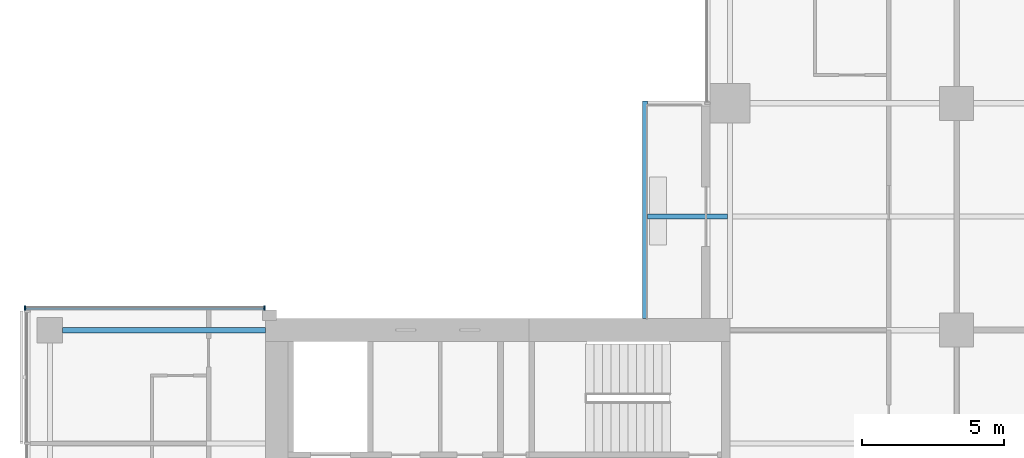
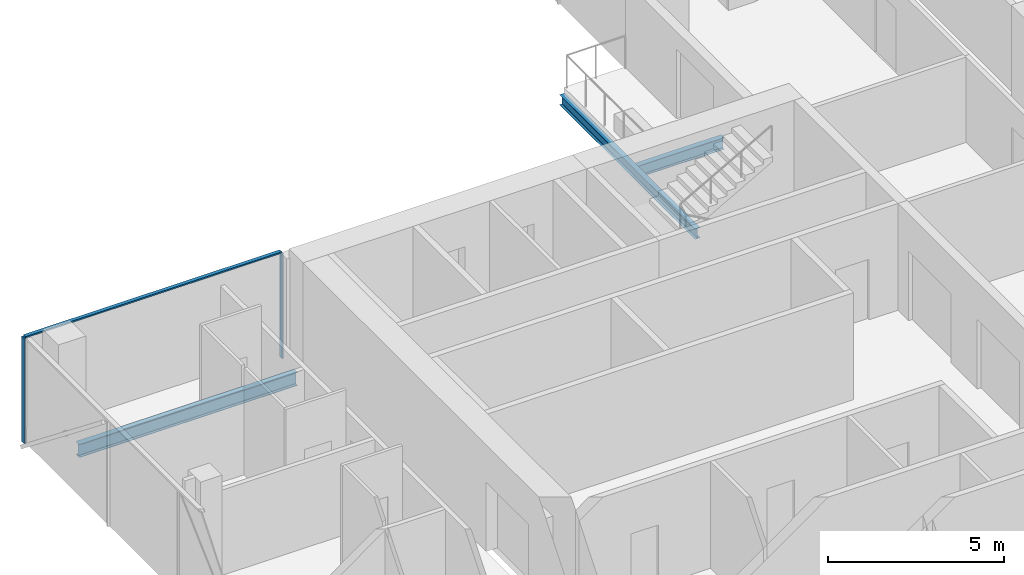
# One storey, part 8 of 27: 3 beams, 3 members, 1 element without a shape of its own.
"""IFC4 building model written with IfcOpenShell, lengths in metres."""

from ifc_helpers import new_model, si_unit, direction, frame, origin, origin_2d, place, context, subcontext, project, spatial, rectangle, i_section, extrude, material, material_profile, profile_set, type_object, element, aggregate, save


model = new_model("IFC4")

# Units and contexts
model_context = context("Model", 3, precision=1e-05, world=origin(), true_north=direction((0.0, 1.0)))
body_context = subcontext(model_context, "Body", "Model", "MODEL_VIEW")
ifc_project = project(units=[si_unit("LENGTHUNIT", "METRE"), si_unit("AREAUNIT", "SQUARE_METRE"), si_unit("VOLUMEUNIT", "CUBIC_METRE"), si_unit("PLANEANGLEUNIT", "RADIAN"), si_unit("MASSUNIT", "GRAM", prefix="KILO")], contexts=[model_context])

# Site, building, storey
site_placement = place(None, origin())
site = spatial("IfcSite", under=ifc_project, at=site_placement, CompositionType="ELEMENT")
building_placement = place(site_placement, origin())
building = spatial("IfcBuilding", under=site, at=building_placement, Name="Crosswind Convention Tower", CompositionType="ELEMENT")
storey_placement = place(building_placement, frame((0.0, 0.0, 68.300048828125)))
storey = spatial("IfcBuildingStorey", under=building, at=storey_placement, Name="L11", CompositionType="ELEMENT", Elevation=68.300048828125)

# Beams
ifc_material_1 = material(Name="Steel S355", Category="steel")
ifc_material_profile_1 = material_profile(ifc_material_1, i_section(OverallWidth=0.177734375, OverallDepth=0.406494140625, WebThickness=0.0078125, FlangeThickness=0.0126953125, FilletRadius=0.01025390625, at=origin_2d()), Name="UB 406x178x60")
ifc_profile_set_1 = profile_set([ifc_material_profile_1], Name="Steel S355")
beam_type_1 = type_object("IfcBeamType", Name="Balcony cantilever UB 406x178x60", PredefinedType="BEAM", material=ifc_profile_set_1)
beam_1_placement = place(storey_placement, frame((112.90478515625, 116.0, -0.483154296875), z_axis=(-1.0, 0.0, 0.0), x_axis=(0.0, -1.0, 0.0)))
element("IfcBeam", 1, at=beam_1_placement, inside=storey, type_object=beam_type_1, Name="B35 L11 balcony cantilever NW 4", PredefinedType="BEAM", context=body_context, shape_type="SweptSolid", body=[
    extrude(i_section(OverallWidth=0.177734375, OverallDepth=0.406494140625, WebThickness=0.0078125, FlangeThickness=0.0126953125, FilletRadius=0.01025390625, at=origin_2d()), origin(), (0.0, 0.0, 1.0), 2.8193359375),
])
ifc_material_profile_2 = material_profile(ifc_material_1, i_section(OverallWidth=0.1708984375, OverallDepth=0.35205078125, WebThickness=0.0068359375, FlangeThickness=0.009765625, FilletRadius=0.01025390625, at=origin_2d()), Name="UB 356x171x45")
ifc_profile_set_2 = profile_set([ifc_material_profile_2], Name="Steel S355")
beam_type_2 = type_object("IfcBeamType", Name="Balcony edge beam UB 356x171x45", PredefinedType="BEAM", material=ifc_profile_set_2)
beam_2_placement = place(storey_placement, frame((110.0, 112.39990234375, -0.4560546875), z_axis=(0.0, 1.0, 0.0), x_axis=(-1.0, 0.0, 0.0)))
element("IfcBeam", 2, at=beam_2_placement, inside=storey, type_object=beam_type_2, Name="B37 L11 balcony edge beam NW 6", PredefinedType="BEAM", context=body_context, shape_type="SweptSolid", body=[
    extrude(i_section(OverallWidth=0.1708984375, OverallDepth=0.35205078125, WebThickness=0.0068359375, FlangeThickness=0.009765625, FilletRadius=0.01025390625, at=origin_2d()), origin(), (0.0, 0.0, 1.0), 7.68896484375),
])
ifc_material_profile_3 = material_profile(ifc_material_1, i_section(OverallWidth=0.1904296875, OverallDepth=0.457275390625, WebThickness=0.009033203125, FlangeThickness=0.014404296875, FilletRadius=0.01025390625, at=origin_2d()), Name="UB 457x191x75")
ifc_profile_set_3 = profile_set([ifc_material_profile_3], Name="Steel S355")
beam_type_3 = type_object("IfcBeamType", Name="Edge beam UB 457x191x75", PredefinedType="SPANDREL", material=ifc_profile_set_3)
beam_3_placement = place(storey_placement, frame((89.449951171875, 112.0, -0.508544921875), z_axis=(1.0, 0.0, 0.0), x_axis=(0.0, 1.0, 0.0)))
element("IfcBeam", 3, at=beam_3_placement, inside=storey, type_object=beam_type_3, Name="B17 L11 edge beam 5", PredefinedType="SPANDREL", context=body_context, shape_type="SweptSolid", body=[
    extrude(i_section(OverallWidth=0.1904296875, OverallDepth=0.457275390625, WebThickness=0.009033203125, FlangeThickness=0.014404296875, FilletRadius=0.01025390625, at=origin_2d()), origin(), (0.0, 0.0, 1.0), 7.150146484375),
])

# Curtain wall, members
ifc_material_2 = material(Name="Aluminium unitised curtain wall", Category="aluminium")
curtain_wall_type = type_object("IfcCurtainWallType", Name="CORE END SLOT WALL 160", PredefinedType="USERDEFINED", material=ifc_material_2)
curtain_wall_placement = place(storey_placement, origin())
curtain_wall = element("IfcCurtainWall", 4, at=curtain_wall_placement, inside=storey, type_object=curtain_wall_type, Name="CW6 L11 W-N.2-1 slot", ObjectType="UNITISED", PredefinedType="USERDEFINED")
ifc_material_3 = material(Name="Aluminium mullion", Category="aluminium")
ifc_material_profile_4 = material_profile(ifc_material_3, rectangle(XDim=0.159912109375, YDim=0.050048828125, at=origin_2d()), Name="AL 160X50")
ifc_profile_set_4 = profile_set([ifc_material_profile_4], Name="Aluminium mullion")
member_type_1 = type_object("IfcMemberType", Name="MULLION 50X160", PredefinedType="MULLION", material=ifc_profile_set_4)
member_1_placement = place(storey_placement, frame((96.574951171875, 112.780029296875, -0.280029296875), z_axis=(0.0, 0.0, 1.0), x_axis=(0.0, 1.0, 0.0)))
member_1 = element("IfcMember", 5, at=member_1_placement, type_object=member_type_1, Name="CW6 mullion 1", PredefinedType="MULLION", context=body_context, shape_type="SweptSolid", body=[
    extrude(rectangle(XDim=0.159912109375, YDim=0.050048828125, at=origin_2d()), origin(), (0.0, 0.0, 1.0), 3.64990234375),
])
member_2_placement = place(storey_placement, frame((88.125, 112.780029296875, -0.280029296875), z_axis=(0.0, 0.0, 1.0), x_axis=(0.0, 1.0, 0.0)))
member_2 = element("IfcMember", 6, at=member_2_placement, type_object=member_type_1, Name="CW6 mullion 2", PredefinedType="MULLION", context=body_context, shape_type="SweptSolid", body=[
    extrude(rectangle(XDim=0.159912109375, YDim=0.050048828125, at=origin_2d()), origin(), (0.0, 0.0, 1.0), 3.64990234375),
])
ifc_material_4 = material(Name="Aluminium transom", Category="aluminium")
ifc_material_profile_5 = material_profile(ifc_material_4, rectangle(XDim=0.1201171875, YDim=0.050048828125, at=origin_2d()), Name="AL 120X50")
ifc_profile_set_5 = profile_set([ifc_material_profile_5], Name="Aluminium transom")
member_type_2 = type_object("IfcMemberType", Name="TRANSOM 50X120", PredefinedType="USERDEFINED", material=ifc_profile_set_5)
member_3_placement = place(storey_placement, frame((96.550048828125, 112.780029296875, 3.39501953125), z_axis=(-1.0, 0.0, 0.0), x_axis=(0.0, -1.0, 0.0)))
member_3 = element("IfcMember", 7, at=member_3_placement, type_object=member_type_2, Name="CW6 transom", ObjectType="TRANSOM", PredefinedType="USERDEFINED", context=body_context, shape_type="SweptSolid", body=[
    extrude(rectangle(XDim=0.1201171875, YDim=0.050048828125, at=origin_2d()), origin(), (0.0, 0.0, 1.0), 8.400146484375),
])
aggregate(curtain_wall, [member_1, member_2, member_3])

save(model, "model.ifc")
